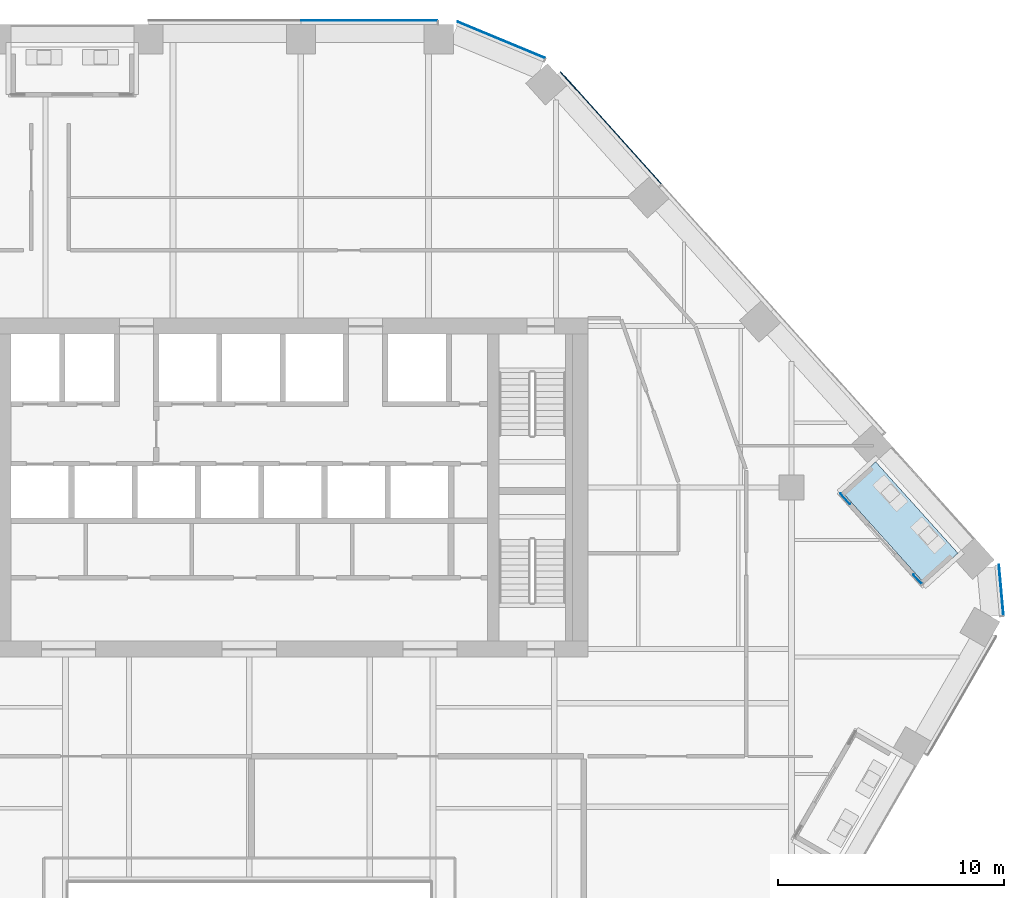
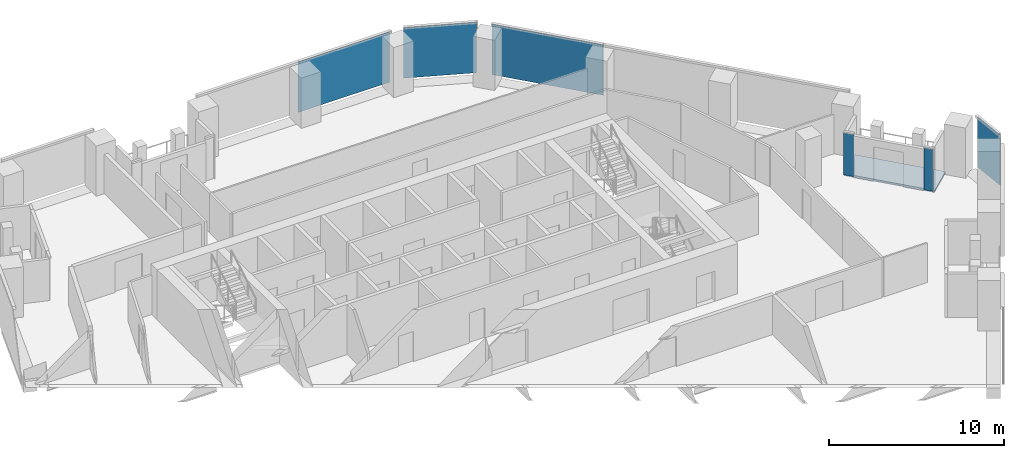
# One storey, part 18 of 26: 6 plates, 1 slab, 5 elements without a shape of their own.
"""IFC4 building model written with IfcOpenShell, lengths in metres."""

from ifc_helpers import new_model, si_unit, direction, frame, origin, origin_2d, place, context, subcontext, project, spatial, polyline, rectangle, outline, extrude, material, layer, layer_set, type_object, element, aggregate, save


model = new_model("IFC4")

# Units and contexts
model_context = context("Model", 3, precision=1e-05, world=origin(), true_north=direction((0.0, 1.0)))
body_context = subcontext(model_context, "Body", "Model", "MODEL_VIEW")
ifc_project = project(units=[si_unit("LENGTHUNIT", "METRE"), si_unit("AREAUNIT", "SQUARE_METRE"), si_unit("VOLUMEUNIT", "CUBIC_METRE"), si_unit("PLANEANGLEUNIT", "RADIAN"), si_unit("MASSUNIT", "GRAM", prefix="KILO")], contexts=[model_context])

# Site, building, storey
site_placement = place(None, origin())
site = spatial("IfcSite", under=ifc_project, at=site_placement, CompositionType="ELEMENT")
building_placement = place(site_placement, origin())
building = spatial("IfcBuilding", under=site, at=building_placement, Name="Isthmus Gate Tower", CompositionType="ELEMENT")
storey_placement = place(building_placement, frame((0.0, 0.0, 189.050048828125)))
storey = spatial("IfcBuildingStorey", under=building, at=storey_placement, Name="L47", CompositionType="ELEMENT", Elevation=189.050048828125)

# Curtain wall, plate
ifc_material_1 = material(Name="Aluminium, pale champagne anodised", Category="aluminium")
ifc_layer_1 = layer(ifc_material_1, 0.199951171875)
ifc_layer_set_1 = layer_set([ifc_layer_1], Name="CW-1 UNITISED CURTAIN WALL 200 DEEP")
curtain_wall_type_1 = type_object("IfcCurtainWallType", Name="CW-1 UNITISED CURTAIN WALL 200 DEEP", PredefinedType="NOTDEFINED", material=ifc_layer_set_1)
curtain_wall_1_placement = place(storey_placement, origin())
curtain_wall_1 = element("IfcCurtainWall", 1, at=curtain_wall_1_placement, inside=storey, type_object=curtain_wall_type_1, Name="CW-1 N L47", PredefinedType="NOTDEFINED")
ifc_material_2 = material(Name="Laminated low-iron glass, pale blue tint", Category="glass")
ifc_layer_2 = layer(ifc_material_2, 0.035888671875)
ifc_layer_set_2 = layer_set([ifc_layer_2], Name="CW-1 CLEAR GLASS LITE 36")
plate_type_1 = type_object("IfcPlateType", Name="CW-1 CLEAR GLASS LITE 36", PredefinedType="CURTAIN_PANEL", material=ifc_layer_set_2)
plate_1_placement = place(storey_placement, frame((5.30859375, 28.181884765625, 0.0), z_axis=(0.0, 0.0, 1.0), x_axis=(-1.0, 0.0, 0.0)))
plate_1 = element("IfcPlate", 2, at=plate_1_placement, type_object=plate_type_1, Name="CW-1 glass lite", PredefinedType="CURTAIN_PANEL", context=body_context, shape_type="SweptSolid", body=[
    extrude(rectangle(XDim=6.0400390625, YDim=0.035888671875, at=origin_2d()), origin(), (0.0, 0.0, 1.0), 3.510009765625),
])
aggregate(curtain_wall_1, [plate_1])

curtain_wall_2_placement = place(storey_placement, origin())
curtain_wall_2 = element("IfcCurtainWall", 3, at=curtain_wall_2_placement, inside=storey, type_object=curtain_wall_type_1, Name="CW-1 SE-NE L47", PredefinedType="NOTDEFINED")
plate_2_placement = place(storey_placement, frame((33.285888671875, 2.966552734375, 0.0), z_axis=(0.0, 0.0, 1.0), x_axis=(-0.089396669717, 0.995996102123, 0.0)))
plate_2 = element("IfcPlate", 4, at=plate_2_placement, type_object=plate_type_1, Name="CW-1 glass lite", PredefinedType="CURTAIN_PANEL", context=body_context, shape_type="SweptSolid", body=[
    extrude(rectangle(XDim=2.258544921875, YDim=0.035888671875, at=origin_2d()), origin(), (0.0, 0.0, 1.0), 3.510009765625),
])
aggregate(curtain_wall_2, [plate_2])

curtain_wall_3_placement = place(storey_placement, origin())
curtain_wall_3 = element("IfcCurtainWall", 5, at=curtain_wall_3_placement, inside=storey, type_object=curtain_wall_type_1, Name="CW-1 NE L47", PredefinedType="NOTDEFINED")
plate_3_placement = place(storey_placement, frame((16.007080078125, 23.425048828125, 0.0), z_axis=(0.0, 0.0, 1.0), x_axis=(-0.669130606359, 0.743144825477, 0.0)))
plate_3 = element("IfcPlate", 6, at=plate_3_placement, type_object=plate_type_1, Name="CW-1 glass lite", PredefinedType="CURTAIN_PANEL", context=body_context, shape_type="SweptSolid", body=[
    extrude(rectangle(XDim=6.680908203125, YDim=0.035888671875, at=origin_2d()), origin(), (0.0, 0.0, 1.0), 3.510009765625),
])
aggregate(curtain_wall_3, [plate_3])

curtain_wall_4_placement = place(storey_placement, origin())
curtain_wall_4 = element("IfcCurtainWall", 7, at=curtain_wall_4_placement, inside=storey, type_object=curtain_wall_type_1, Name="CW-1 NE-N L47", PredefinedType="NOTDEFINED")
plate_4_placement = place(storey_placement, frame((11.154052734375, 27.3173828125, 0.0), z_axis=(0.0, 0.0, 1.0), x_axis=(-0.923353128387, 0.383951820282, 0.0)))
plate_4 = element("IfcPlate", 8, at=plate_4_placement, type_object=plate_type_1, Name="CW-1 glass lite", PredefinedType="CURTAIN_PANEL", context=body_context, shape_type="SweptSolid", body=[
    extrude(rectangle(XDim=4.181396484375, YDim=0.035888671875, at=origin_2d()), origin(), (0.0, 0.0, 1.0), 3.510009765625),
])
aggregate(curtain_wall_4, [plate_4])

# Curtain wall, plates
ifc_material_3 = material(Name="Aluminium, pale champagne anodised", Category="aluminium")
ifc_layer_3 = layer(ifc_material_3, 0.14990234375)
ifc_layer_set_3 = layer_set([ifc_layer_3], Name="CW-6 LOGGIA BACK WALL GLAZING 150 DEEP")
curtain_wall_type_2 = type_object("IfcCurtainWallType", Name="CW-6 LOGGIA BACK WALL GLAZING 150 DEEP", PredefinedType="NOTDEFINED", material=ifc_layer_set_3)
curtain_wall_5_placement = place(storey_placement, origin())
curtain_wall_5 = element("IfcCurtainWall", 9, at=curtain_wall_5_placement, inside=storey, type_object=curtain_wall_type_2, Name="CW-6 NE L47", PredefinedType="NOTDEFINED")
ifc_material_4 = material(Name="Laminated low-iron glass, clear", Category="glass")
ifc_layer_4 = layer(ifc_material_4, 0.031982421875)
ifc_layer_set_4 = layer_set([ifc_layer_4], Name="CW-6 CLEAR GLASS LITE 32")
plate_type_2 = type_object("IfcPlateType", Name="CW-6 CLEAR GLASS LITE 32", PredefinedType="CURTAIN_PANEL", material=ifc_layer_set_4)
plate_5_placement = place(storey_placement, frame((29.582275390625, 3.443603515625, 0.0), z_axis=(0.0, 0.0, 1.0), x_axis=(-0.669130606359, 0.743144825477, 0.0)))
plate_5 = element("IfcPlate", 10, at=plate_5_placement, type_object=plate_type_2, Name="CW-6 glass lite", PredefinedType="CURTAIN_PANEL", context=body_context, shape_type="SweptSolid", body=[
    extrude(rectangle(XDim=0.560302734375, YDim=0.031982421875, at=origin_2d()), origin(), (0.0, 0.0, 1.0), 2.929931640625),
])
plate_6_placement = place(storey_placement, frame((26.376708984375, 7.003662109375, 0.0), z_axis=(0.0, 0.0, 1.0), x_axis=(-0.669130606359, 0.743144825477, 0.0)))
plate_6 = element("IfcPlate", 11, at=plate_6_placement, type_object=plate_type_2, Name="CW-6 glass lite", PredefinedType="CURTAIN_PANEL", context=body_context, shape_type="SweptSolid", body=[
    extrude(rectangle(XDim=0.620361328125, YDim=0.031982421875, at=origin_2d()), origin(), (0.0, 0.0, 1.0), 2.929931640625),
])
aggregate(curtain_wall_5, [plate_5, plate_6])

# Slab
ifc_material_5 = material(Name="Concrete f'c 50 MPa", Category="concrete")
ifc_layer_5 = layer(ifc_material_5, 0.14990234375)
ifc_layer_set_5 = layer_set([ifc_layer_5], Name="LOGGIA FLOOR SLAB 150")
slab_type = type_object("IfcSlabType", Name="LOGGIA FLOOR SLAB 150", PredefinedType="FLOOR", material=ifc_layer_set_5)
slab_placement = place(storey_placement, frame((0.0, 0.0, -0.150146484375)))
element("IfcSlab", 12, at=slab_placement, inside=storey, type_object=slab_type, Name="LOGGIA FLOOR", PredefinedType="FLOOR", context=body_context, shape_type="SweptSolid", body=[
    extrude(outline(polyline([(31.370361328125, 4.595947265625), (27.729736328125, 8.639404296875), (26.24365234375, 7.301025390625), (29.884033203125, 3.2578125), (31.370361328125, 4.595947265625)])), origin(), (0.0, 0.0, 1.0), 0.150146484375),
])

save(model, "model.ifc")
